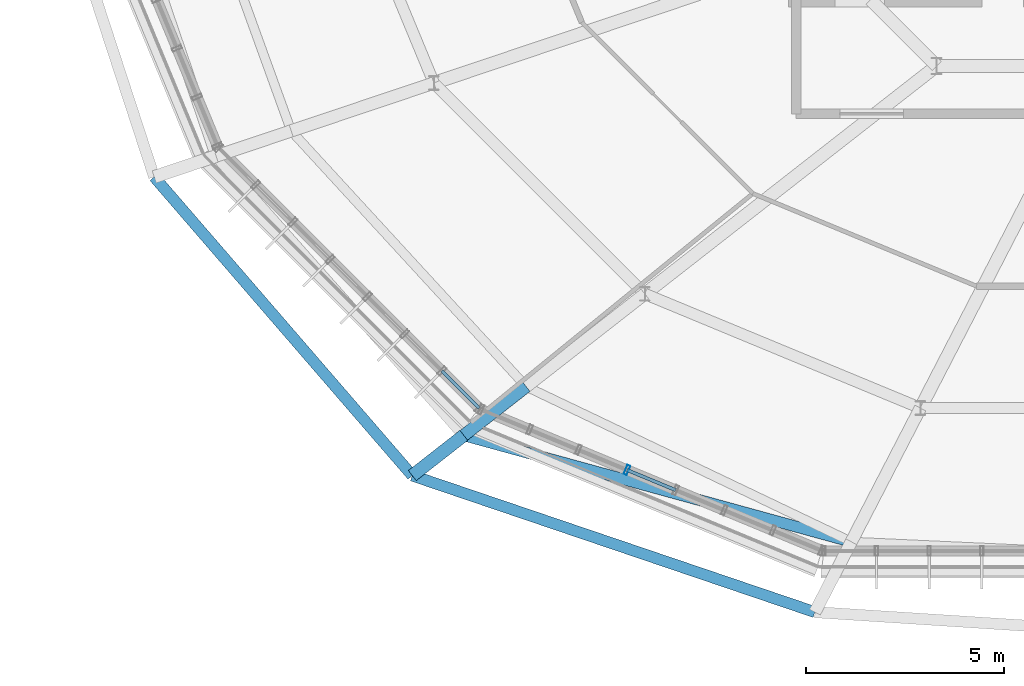
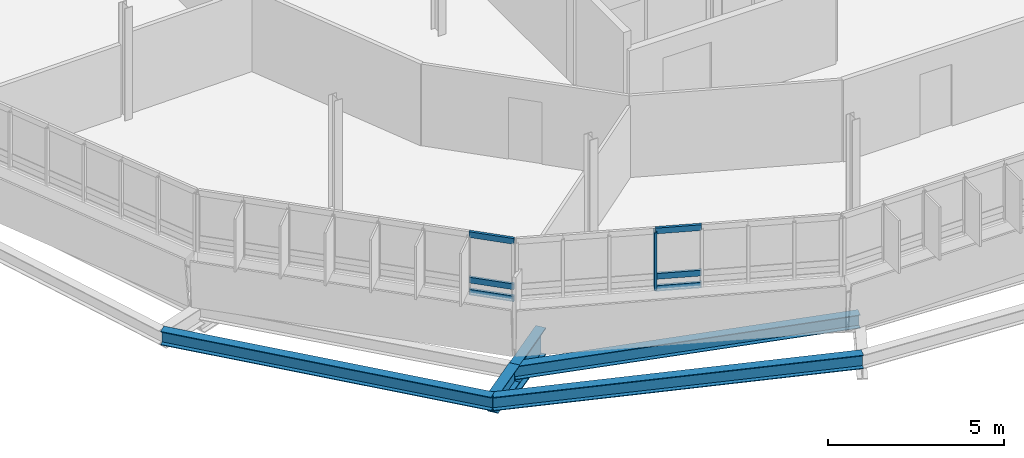
# One storey, part 4 of 31: 7 members, 5 beams, 2 elements without a shape of their own.
"""IFC4 building model written with IfcOpenShell, lengths in metres."""

from ifc_helpers import new_model, si_unit, derived_unit, direction, frame, origin, origin_2d, place, context, subcontext, project, spatial, hollow_rectangle, i_section, extrude, material, layer, layer_set, material_profile, profile_set, type_object, element, aggregate, save


model = new_model("IFC4")

# Units and contexts
model_context = context("Model", 3, precision=1e-05, world=origin(), true_north=direction((0.0, 1.0)))
body_context = subcontext(model_context, "Body", "Model", "MODEL_VIEW")
ifc_project = project(units=[si_unit("LENGTHUNIT", "METRE"), si_unit("AREAUNIT", "SQUARE_METRE"), si_unit("VOLUMEUNIT", "CUBIC_METRE"), si_unit("PLANEANGLEUNIT", "RADIAN"), si_unit("MASSUNIT", "GRAM", prefix="KILO"), derived_unit("THERMALTRANSMITTANCEUNIT", [(si_unit("MASSUNIT", "GRAM", prefix="KILO"), 1), (si_unit("TIMEUNIT", "SECOND"), -3), (si_unit("THERMODYNAMICTEMPERATUREUNIT", "KELVIN"), -1)])], contexts=[model_context])

# Site, building, storey
site_placement = place(None, origin())
site = spatial("IfcSite", under=ifc_project, at=site_placement, CompositionType="ELEMENT")
building_placement = place(site_placement, origin())
building = spatial("IfcBuilding", under=site, at=building_placement, Name="Makaiwela Harbour Ferry Terminal", CompositionType="ELEMENT")
storey_placement = place(building_placement, frame((0.0, 0.0, 21.60009765625)))
storey = spatial("IfcBuildingStorey", under=building, at=storey_placement, Name="L05", CompositionType="ELEMENT", Elevation=21.60009765625)

# Curtain wall, member
ifc_material_1 = material(Name="Marine anodised aluminium 6063-T6", Category="aluminium")
ifc_layer = layer(ifc_material_1, 0.199951171875)
ifc_layer_set = layer_set([ifc_layer], Name="Marine anodised aluminium 6063-T6")
curtain_wall_type = type_object("IfcCurtainWallType", Name="ENV-CW-07", PredefinedType="USERDEFINED", material=ifc_layer_set)
curtain_wall_1_placement = place(storey_placement, origin())
curtain_wall_1 = element("IfcCurtainWall", 1, at=curtain_wall_1_placement, inside=storey, type_object=curtain_wall_type, Name="Unitised Curtain Wall CWA-066", ObjectType="UNITIZED CURTAIN WALL", PredefinedType="USERDEFINED")
ifc_material_profile_1 = material_profile(ifc_material_1, hollow_rectangle(XDim=0.0849609375, YDim=0.25, WallThickness=0.0048828125, at=origin_2d()), Name="CWM-250X85")
ifc_profile_set_1 = profile_set([ifc_material_profile_1], Name="Marine anodised aluminium 6063-T6")
member_type_1 = type_object("IfcMemberType", Name="CW-MUL-250", PredefinedType="MULLION", material=ifc_profile_set_1)
member_1_placement = place(storey_placement, frame((25.927978515625, 47.607421875, 1.47998046875), z_axis=(0.0, 0.0, 1.0), x_axis=(-0.923879532511, 0.382683432365, 0.0)))
member_1 = element("IfcMember", 2, at=member_1_placement, type_object=member_type_1, Name="Curtain Wall Mullion CWA-066-4", PredefinedType="MULLION", context=body_context, shape_type="SweptSolid", body=[
    extrude(hollow_rectangle(XDim=0.0849609375, YDim=0.25, WallThickness=0.0048828125, at=origin_2d()), origin(), (0.0, 0.0, 1.0), 2.0),
])

# Curtain wall, members
curtain_wall_2_placement = place(storey_placement, origin())
curtain_wall_2 = element("IfcCurtainWall", 3, at=curtain_wall_2_placement, inside=storey, type_object=curtain_wall_type, Name="Unitised Curtain Wall CWA-065", ObjectType="UNITIZED CURTAIN WALL", PredefinedType="USERDEFINED")
ifc_material_profile_2 = material_profile(ifc_material_1, hollow_rectangle(XDim=0.0849609375, YDim=0.199951171875, WallThickness=0.0048828125, at=origin_2d()), Name="CWT-200X85")
ifc_profile_set_2 = profile_set([ifc_material_profile_2], Name="Marine anodised aluminium 6063-T6")
member_type_2 = type_object("IfcMemberType", Name="CW-TRN-200", PredefinedType="USERDEFINED", material=ifc_profile_set_2)
member_2_placement = place(storey_placement, frame((21.255126953125, 50.105712890625, 1.47998046875), z_axis=(0.707198619198, -0.707014931245, 0.0), x_axis=(0.707014931245, 0.707198619198, 0.0)))
member_2 = element("IfcMember", 4, at=member_2_placement, type_object=member_type_2, Name="Curtain Wall Transom CWA-065-7-1", ObjectType="TRANSOM", PredefinedType="USERDEFINED", context=body_context, shape_type="SweptSolid", body=[
    extrude(hollow_rectangle(XDim=0.0849609375, YDim=0.199951171875, WallThickness=0.0048828125, at=origin_2d()), origin(), (0.0, 0.0, 1.0), 1.3291015625),
])
member_3_placement = place(storey_placement, frame((21.255126953125, 50.105712890625, 1.89990234375), z_axis=(0.707198619198, -0.707014931245, 0.0), x_axis=(0.707014931245, 0.707198619198, 0.0)))
member_3 = element("IfcMember", 5, at=member_3_placement, type_object=member_type_2, Name="Curtain Wall Transom CWA-065-7-2", ObjectType="TRANSOM", PredefinedType="USERDEFINED", context=body_context, shape_type="SweptSolid", body=[
    extrude(hollow_rectangle(XDim=0.0849609375, YDim=0.199951171875, WallThickness=0.0048828125, at=origin_2d()), origin(), (0.0, 0.0, 1.0), 1.3291015625),
])
member_4_placement = place(storey_placement, frame((21.255126953125, 50.105712890625, 3.47998046875), z_axis=(0.707198619198, -0.707014931245, 0.0), x_axis=(0.707014931245, 0.707198619198, 0.0)))
member_4 = element("IfcMember", 6, at=member_4_placement, type_object=member_type_2, Name="Curtain Wall Transom CWA-065-7-3", ObjectType="TRANSOM", PredefinedType="USERDEFINED", context=body_context, shape_type="SweptSolid", body=[
    extrude(hollow_rectangle(XDim=0.0849609375, YDim=0.199951171875, WallThickness=0.0048828125, at=origin_2d()), origin(), (0.0, 0.0, 1.0), 1.3291015625),
])
aggregate(curtain_wall_2, [member_2, member_3, member_4])

# Member
member_5_placement = place(storey_placement, frame((25.927978515625, 47.607421875, 1.47998046875), z_axis=(0.923846685591, -0.382762722221, 0.0), x_axis=(0.382762722221, 0.923846685591, 0.0)))
member_5 = element("IfcMember", 7, at=member_5_placement, type_object=member_type_2, Name="Curtain Wall Transom CWA-066-4-1", ObjectType="TRANSOM", PredefinedType="USERDEFINED", context=body_context, shape_type="SweptSolid", body=[
    extrude(hollow_rectangle(XDim=0.0849609375, YDim=0.199951171875, WallThickness=0.0048828125, at=origin_2d()), origin(), (0.0, 0.0, 1.0), 1.329345703125),
])

member_6_placement = place(storey_placement, frame((25.927978515625, 47.607421875, 1.89990234375), z_axis=(0.923846685591, -0.382762722221, 0.0), x_axis=(0.382762722221, 0.923846685591, 0.0)))
member_6 = element("IfcMember", 8, at=member_6_placement, type_object=member_type_2, Name="Curtain Wall Transom CWA-066-4-2", ObjectType="TRANSOM", PredefinedType="USERDEFINED", context=body_context, shape_type="SweptSolid", body=[
    extrude(hollow_rectangle(XDim=0.0849609375, YDim=0.199951171875, WallThickness=0.0048828125, at=origin_2d()), origin(), (0.0, 0.0, 1.0), 1.329345703125),
])

member_7_placement = place(storey_placement, frame((25.927978515625, 47.607421875, 3.47998046875), z_axis=(0.923846685591, -0.382762722221, 0.0), x_axis=(0.382762722221, 0.923846685591, 0.0)))
member_7 = element("IfcMember", 9, at=member_7_placement, type_object=member_type_2, Name="Curtain Wall Transom CWA-066-4-3", ObjectType="TRANSOM", PredefinedType="USERDEFINED", context=body_context, shape_type="SweptSolid", body=[
    extrude(hollow_rectangle(XDim=0.0849609375, YDim=0.199951171875, WallThickness=0.0048828125, at=origin_2d()), origin(), (0.0, 0.0, 1.0), 1.329345703125),
])

aggregate(curtain_wall_1, [member_1, member_5, member_6, member_7])

# Beams
ifc_material_2 = material(Name="Steel ASTM A992 Grade 50", Category="steel")
ifc_material_profile_3 = material_profile(ifc_material_2, i_section(OverallWidth=0.280029296875, OverallDepth=0.462890625, WebThickness=0.0107421875, FlangeThickness=0.017333984375, at=origin_2d()), Name="W18X76")
ifc_profile_set_3 = profile_set([ifc_material_profile_3], Name="Steel ASTM A992 Grade 50")
beam_type_1 = type_object("IfcBeamType", Name="STR-BM-W18X76", PredefinedType="BEAM", material=ifc_profile_set_3)
beam_1_placement = place(storey_placement, frame((21.806884765625, 48.48193359375, -0.481689453125), z_axis=(0.96429916079, -0.264815272407, 0.0), x_axis=(0.264815272407, 0.96429916079, 0.0)))
element("IfcBeam", 10, at=beam_1_placement, inside=storey, type_object=beam_type_1, Name="Drum stage2 tie girder 598", PredefinedType="BEAM", context=body_context, shape_type="SweptSolid", body=[
    extrude(i_section(OverallWidth=0.280029296875, OverallDepth=0.462890625, WebThickness=0.0107421875, FlangeThickness=0.017333984375, at=origin_2d()), origin(), (0.0, 0.0, 1.0), 10.144775390625),
])
ifc_material_profile_4 = material_profile(ifc_material_2, i_section(OverallWidth=0.324951171875, OverallDepth=0.615966796875, WebThickness=0.013916015625, FlangeThickness=0.021484375, at=origin_2d()), Name="W24X117")
ifc_profile_set_4 = profile_set([ifc_material_profile_4], Name="Steel ASTM A992 Grade 50")
beam_type_2 = type_object("IfcBeamType", Name="STR-GRD-W24X117", PredefinedType="USERDEFINED", material=ifc_profile_set_4)
beam_2_placement = place(storey_placement, frame((21.806884765625, 48.48193359375, -0.55810546875), z_axis=(-0.788091669189, -0.615557894072, 0.0), x_axis=(0.615557894072, -0.788091669189, 0.0)))
element("IfcBeam", 11, at=beam_2_placement, inside=storey, type_object=beam_type_2, Name="Promenade terrace bracket 564", ObjectType="GIRDER", PredefinedType="USERDEFINED", context=body_context, shape_type="SweptSolid", body=[
    extrude(i_section(OverallWidth=0.324951171875, OverallDepth=0.615966796875, WebThickness=0.013916015625, FlangeThickness=0.021484375, at=origin_2d()), origin(), (0.0, 0.0, 1.0), 1.64990234375),
])
ifc_material_profile_5 = material_profile(ifc_material_2, i_section(OverallWidth=0.31005859375, OverallDepth=0.949951171875, WebThickness=0.0244140625, FlangeThickness=0.0439453125, at=origin_2d()), Name="W36X256")
ifc_profile_set_5 = profile_set([ifc_material_profile_5], Name="Steel ASTM A992 Grade 50")
beam_type_3 = type_object("IfcBeamType", Name="STR-GRD-W36X256", PredefinedType="USERDEFINED", material=ifc_profile_set_5)
beam_3_placement = place(storey_placement, frame((23.3828125, 49.71337890625, -0.72509765625), z_axis=(-0.787963297722, -0.615722211264, 0.0), x_axis=(0.615722211264, -0.787963297722, 0.0)))
element("IfcBeam", 12, at=beam_3_placement, inside=storey, type_object=beam_type_3, Name="Drum overhang radial girder 563", ObjectType="GIRDER", PredefinedType="USERDEFINED", context=body_context, shape_type="SweptSolid", body=[
    extrude(i_section(OverallWidth=0.31005859375, OverallDepth=0.949951171875, WebThickness=0.0244140625, FlangeThickness=0.0439453125, at=origin_2d()), origin(), (0.0, 0.0, 1.0), 2.0),
])
ifc_material_profile_6 = material_profile(ifc_material_2, i_section(OverallWidth=0.283935546875, OverallDepth=0.47607421875, WebThickness=0.014892578125, FlangeThickness=0.02392578125, at=origin_2d()), Name="W18X106")
ifc_profile_set_6 = profile_set([ifc_material_profile_6], Name="Steel ASTM A992 Grade 50")
beam_type_4 = type_object("IfcBeamType", Name="STR-SPN-W18X106", PredefinedType="SPANDREL", material=ifc_profile_set_6)
beam_4_placement = place(storey_placement, frame((13.989990234375, 55.00634765625, -0.488037109375), z_axis=(0.653892810567, -0.756587200717, 0.0), x_axis=(0.756587200717, 0.653892810567, 0.0)))
element("IfcBeam", 13, at=beam_4_placement, inside=storey, type_object=beam_type_4, Name="Drum perimeter spandrel 611", PredefinedType="SPANDREL", context=body_context, shape_type="SweptSolid", body=[
    extrude(i_section(OverallWidth=0.283935546875, OverallDepth=0.47607421875, WebThickness=0.014892578125, FlangeThickness=0.02392578125, at=origin_2d()), origin(), (0.0, 0.0, 1.0), 9.9658203125),
])
beam_5_placement = place(storey_placement, frame((20.506591796875, 47.46630859375, -0.488037109375), z_axis=(0.947009716375, -0.321204914489, 0.0), x_axis=(0.321204914489, 0.947009716375, 0.0)))
element("IfcBeam", 14, at=beam_5_placement, inside=storey, type_object=beam_type_4, Name="Drum perimeter spandrel 612", PredefinedType="SPANDREL", context=body_context, shape_type="SweptSolid", body=[
    extrude(i_section(OverallWidth=0.283935546875, OverallDepth=0.47607421875, WebThickness=0.014892578125, FlangeThickness=0.02392578125, at=origin_2d()), origin(), (0.0, 0.0, 1.0), 10.733154296875),
])

save(model, "model.ifc")
